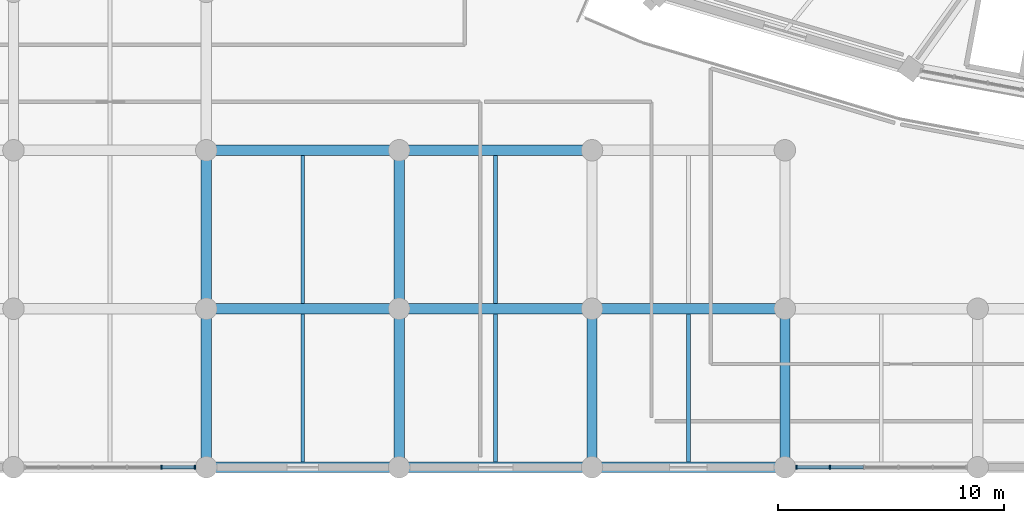
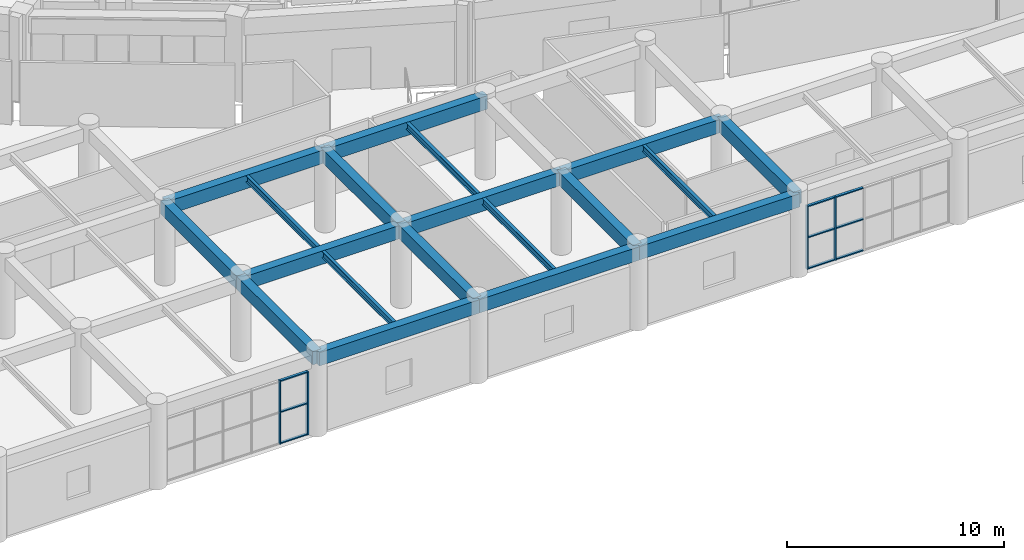
# One storey, part 13 of 152: 19 beams, 13 members, 2 elements without a shape of their own.
"""IFC4 building model written with IfcOpenShell, lengths in metres."""

from ifc_helpers import new_model, si_unit, direction, frame, origin, origin_2d, place, context, subcontext, project, spatial, rectangle, i_section, extrude, material, layer, layer_set, material_profile, profile_set, type_object, element, aggregate, save


model = new_model("IFC4")

# Units and contexts
model_context = context("Model", 3, precision=1e-05, world=origin(), true_north=direction((0.0, 1.0)))
body_context = subcontext(model_context, "Body", "Model", "MODEL_VIEW")
ifc_project = project(units=[si_unit("LENGTHUNIT", "METRE"), si_unit("AREAUNIT", "SQUARE_METRE"), si_unit("VOLUMEUNIT", "CUBIC_METRE"), si_unit("PLANEANGLEUNIT", "RADIAN"), si_unit("MASSUNIT", "GRAM", prefix="KILO")], contexts=[model_context])

# Site, building, storey
site_placement = place(None, origin())
site = spatial("IfcSite", under=ifc_project, at=site_placement, CompositionType="ELEMENT")
building_placement = place(site_placement, origin())
building = spatial("IfcBuilding", under=site, at=building_placement, Name="Mphavela Belvedere Stadium", CompositionType="ELEMENT")
storey_placement = place(building_placement, frame((0.0, 0.0, 5.39990234375)))
storey = spatial("IfcBuildingStorey", under=building, at=storey_placement, Name="L01", CompositionType="ELEMENT", Elevation=5.39990234375)

# Beams
ifc_material_1 = material(Name="Steel S355", Category="steel")
ifc_material_profile_1 = material_profile(ifc_material_1, i_section(OverallWidth=0.169921875, OverallDepth=0.360107421875, WebThickness=0.008056640625, FlangeThickness=0.0126953125, at=origin_2d()), Name="IPE 360")
ifc_profile_set_1 = profile_set([ifc_material_profile_1], Name="Steel S355")
beam_type_1 = type_object("IfcBeamType", Name="BM-JOIST-IPE360", PredefinedType="JOIST", material=ifc_profile_set_1)
for number, where, z_axis, x_axis, name in (
    (1, (38.33349609375, 0.22509765625, 4.360107421875), (0.0, 1.0, 0.0), (-1.0, 0.0, 0.0), "South Axial Triumphal Peristyle Portico secondary joist L01 5-1"),
    (2, (38.33349609375, 7.22509765625, 4.360107421875), (0.0, 1.0, 0.0), (-1.0, 0.0, 0.0), "South Axial Triumphal Peristyle Portico secondary joist L01 5-2"),
    (3, (46.85205078125, 0.22509765625, 4.360107421875), (0.0, 1.0, 0.0), (-1.0, 0.0, 0.0), "South Axial Triumphal Peristyle Portico secondary joist L01 6-1"),
    (4, (46.85205078125, 7.22509765625, 4.360107421875), (0.0, 1.0, 0.0), (-1.0, 0.0, 0.0), "South Axial Triumphal Peristyle Portico secondary joist L01 6-2"),
    (5, (55.37060546875, 0.22509765625, 4.360107421875), (0.0, 1.0, 0.0), (-1.0, 0.0, 0.0), "South Axial Triumphal Peristyle Portico secondary joist L01 7-1"),
):
    element("IfcBeam", number, at=place(storey_placement, frame(where, z_axis=z_axis, x_axis=x_axis)), inside=storey, type_object=beam_type_1, Name=name, PredefinedType="JOIST", context=body_context, shape_type="SweptSolid", body=[
        extrude(i_section(OverallWidth=0.169921875, OverallDepth=0.360107421875, WebThickness=0.008056640625, FlangeThickness=0.0126953125, at=origin_2d()), origin(), (0.0, 0.0, 1.0), 6.5498046875),
    ])
ifc_material_2 = material(Name="Concrete C40/50", Category="concrete")
ifc_material_profile_2 = material_profile(ifc_material_2, rectangle(XDim=0.449951171875, YDim=0.75, at=origin_2d()), Name="RC 450x750")
ifc_profile_set_2 = profile_set([ifc_material_profile_2], Name="Concrete C40/50")
beam_type_2 = type_object("IfcBeamType", Name="BM-RC450x750", PredefinedType="BEAM", material=ifc_profile_set_2)
beam_1_placement = place(storey_placement, frame((34.073974609375, 0.0, 4.1650390625), z_axis=(1.0, 0.0, 0.0), x_axis=(0.0, 1.0, 0.0)))
element("IfcBeam", 6, at=beam_1_placement, inside=storey, type_object=beam_type_2, Name="South Axial Triumphal Peristyle Portico entablature beam X L01 5-1", PredefinedType="BEAM", context=body_context, shape_type="SweptSolid", body=[
    extrude(rectangle(XDim=0.449951171875, YDim=0.75, at=origin_2d()), origin(), (0.0, 0.0, 1.0), 8.51904296875),
])
beam_2_placement = place(storey_placement, frame((34.073974609375, 0.0, 4.1650390625), z_axis=(0.0, 1.0, 0.0), x_axis=(-1.0, 0.0, 0.0)))
element("IfcBeam", 7, at=beam_2_placement, inside=storey, type_object=beam_type_2, Name="South Axial Triumphal Peristyle Portico entablature beam Y L01 5-1", PredefinedType="BEAM", context=body_context, shape_type="SweptSolid", body=[
    extrude(rectangle(XDim=0.449951171875, YDim=0.75, at=origin_2d()), origin(), (0.0, 0.0, 1.0), 7.0),
])
beam_3_placement = place(storey_placement, frame((34.073974609375, 7.0, 4.1650390625), z_axis=(1.0, 0.0, 0.0), x_axis=(0.0, 1.0, 0.0)))
element("IfcBeam", 8, at=beam_3_placement, inside=storey, type_object=beam_type_2, Name="South Axial Triumphal Peristyle Portico entablature beam X L01 5-2", PredefinedType="BEAM", context=body_context, shape_type="SweptSolid", body=[
    extrude(rectangle(XDim=0.449951171875, YDim=0.75, at=origin_2d()), origin(), (0.0, 0.0, 1.0), 8.51904296875),
])
beam_4_placement = place(storey_placement, frame((34.073974609375, 7.0, 4.1650390625), z_axis=(0.0, 1.0, 0.0), x_axis=(-1.0, 0.0, 0.0)))
element("IfcBeam", 9, at=beam_4_placement, inside=storey, type_object=beam_type_2, Name="South Axial Triumphal Peristyle Portico entablature beam Y L01 5-2", PredefinedType="BEAM", context=body_context, shape_type="SweptSolid", body=[
    extrude(rectangle(XDim=0.449951171875, YDim=0.75, at=origin_2d()), origin(), (0.0, 0.0, 1.0), 7.0),
])
beam_5_placement = place(storey_placement, frame((34.073974609375, 14.0, 4.1650390625), z_axis=(1.0, 0.0, 0.0), x_axis=(0.0, 1.0, 0.0)))
element("IfcBeam", 10, at=beam_5_placement, inside=storey, type_object=beam_type_2, Name="South Axial Triumphal Peristyle Portico entablature beam X L01 5-3", PredefinedType="BEAM", context=body_context, shape_type="SweptSolid", body=[
    extrude(rectangle(XDim=0.449951171875, YDim=0.75, at=origin_2d()), origin(), (0.0, 0.0, 1.0), 8.51904296875),
])
beam_6_placement = place(storey_placement, frame((42.593017578125, 0.0, 4.1650390625), z_axis=(1.0, 0.0, 0.0), x_axis=(0.0, 1.0, 0.0)))
element("IfcBeam", 11, at=beam_6_placement, inside=storey, type_object=beam_type_2, Name="South Axial Triumphal Peristyle Portico entablature beam X L01 6-1", PredefinedType="BEAM", context=body_context, shape_type="SweptSolid", body=[
    extrude(rectangle(XDim=0.449951171875, YDim=0.75, at=origin_2d()), origin(), (0.0, 0.0, 1.0), 8.51806640625),
])
beam_7_placement = place(storey_placement, frame((42.593017578125, 0.0, 4.1650390625), z_axis=(0.0, 1.0, 0.0), x_axis=(-1.0, 0.0, 0.0)))
element("IfcBeam", 12, at=beam_7_placement, inside=storey, type_object=beam_type_2, Name="South Axial Triumphal Peristyle Portico entablature beam Y L01 6-1", PredefinedType="BEAM", context=body_context, shape_type="SweptSolid", body=[
    extrude(rectangle(XDim=0.449951171875, YDim=0.75, at=origin_2d()), origin(), (0.0, 0.0, 1.0), 7.0),
])
beam_8_placement = place(storey_placement, frame((42.593017578125, 7.0, 4.1650390625), z_axis=(1.0, 0.0, 0.0), x_axis=(0.0, 1.0, 0.0)))
element("IfcBeam", 13, at=beam_8_placement, inside=storey, type_object=beam_type_2, Name="South Axial Triumphal Peristyle Portico entablature beam X L01 6-2", PredefinedType="BEAM", context=body_context, shape_type="SweptSolid", body=[
    extrude(rectangle(XDim=0.449951171875, YDim=0.75, at=origin_2d()), origin(), (0.0, 0.0, 1.0), 8.51806640625),
])
beam_9_placement = place(storey_placement, frame((42.593017578125, 7.0, 4.1650390625), z_axis=(0.0, 1.0, 0.0), x_axis=(-1.0, 0.0, 0.0)))
element("IfcBeam", 14, at=beam_9_placement, inside=storey, type_object=beam_type_2, Name="South Axial Triumphal Peristyle Portico entablature beam Y L01 6-2", PredefinedType="BEAM", context=body_context, shape_type="SweptSolid", body=[
    extrude(rectangle(XDim=0.449951171875, YDim=0.75, at=origin_2d()), origin(), (0.0, 0.0, 1.0), 7.0),
])
beam_10_placement = place(storey_placement, frame((42.593017578125, 14.0, 4.1650390625), z_axis=(1.0, 0.0, 0.0), x_axis=(0.0, 1.0, 0.0)))
element("IfcBeam", 15, at=beam_10_placement, inside=storey, type_object=beam_type_2, Name="South Axial Triumphal Peristyle Portico entablature beam X L01 6-3", PredefinedType="BEAM", context=body_context, shape_type="SweptSolid", body=[
    extrude(rectangle(XDim=0.449951171875, YDim=0.75, at=origin_2d()), origin(), (0.0, 0.0, 1.0), 8.51806640625),
])
beam_11_placement = place(storey_placement, frame((51.111083984375, 0.0, 4.1650390625), z_axis=(1.0, 0.0, 0.0), x_axis=(0.0, 1.0, 0.0)))
element("IfcBeam", 16, at=beam_11_placement, inside=storey, type_object=beam_type_2, Name="South Axial Triumphal Peristyle Portico entablature beam X L01 7-1", PredefinedType="BEAM", context=body_context, shape_type="SweptSolid", body=[
    extrude(rectangle(XDim=0.449951171875, YDim=0.75, at=origin_2d()), origin(), (0.0, 0.0, 1.0), 8.518798828125),
])
beam_12_placement = place(storey_placement, frame((51.111083984375, 0.0, 4.1650390625), z_axis=(0.0, 1.0, 0.0), x_axis=(-1.0, 0.0, 0.0)))
element("IfcBeam", 17, at=beam_12_placement, inside=storey, type_object=beam_type_2, Name="South Axial Triumphal Peristyle Portico entablature beam Y L01 7-1", PredefinedType="BEAM", context=body_context, shape_type="SweptSolid", body=[
    extrude(rectangle(XDim=0.449951171875, YDim=0.75, at=origin_2d()), origin(), (0.0, 0.0, 1.0), 7.0),
])
beam_13_placement = place(storey_placement, frame((51.111083984375, 7.0, 4.1650390625), z_axis=(1.0, 0.0, 0.0), x_axis=(0.0, 1.0, 0.0)))
element("IfcBeam", 18, at=beam_13_placement, inside=storey, type_object=beam_type_2, Name="South Axial Triumphal Peristyle Portico entablature beam X L01 7-2", PredefinedType="BEAM", context=body_context, shape_type="SweptSolid", body=[
    extrude(rectangle(XDim=0.449951171875, YDim=0.75, at=origin_2d()), origin(), (0.0, 0.0, 1.0), 8.518798828125),
])
beam_14_placement = place(storey_placement, frame((59.6298828125, 0.0, 4.1650390625), z_axis=(0.0, 1.0, 0.0), x_axis=(-1.0, 0.0, 0.0)))
element("IfcBeam", 19, at=beam_14_placement, inside=storey, type_object=beam_type_2, Name="South Axial Triumphal Peristyle Portico entablature beam Y L01 8-1", PredefinedType="BEAM", context=body_context, shape_type="SweptSolid", body=[
    extrude(rectangle(XDim=0.449951171875, YDim=0.75, at=origin_2d()), origin(), (0.0, 0.0, 1.0), 7.0),
])

# Curtain wall, members
ifc_material_3 = material(Name="Anodised bronze unitised curtain wall framing")
ifc_layer_1 = layer(ifc_material_3, 0.18994140625)
ifc_layer_set_1 = layer_set([ifc_layer_1], Name="Anodised bronze unitised curtain wall framing")
curtain_wall_type_1 = type_object("IfcCurtainWallType", Name="CW-UNIT-03", PredefinedType="USERDEFINED", material=ifc_layer_set_1)
curtain_wall_1_placement = place(storey_placement, origin())
curtain_wall_1 = element("IfcCurtainWall", 20, at=curtain_wall_1_placement, inside=storey, type_object=curtain_wall_type_1, Name="South Axial Triumphal Peristyle Portico gallery curtain wall L01-04", ObjectType="UNITISED CURTAIN WALL", PredefinedType="USERDEFINED")
ifc_material_4 = material(Name="Anodised bronze extruded aluminium", Category="aluminium")
ifc_material_profile_3 = material_profile(ifc_material_4, rectangle(XDim=0.179931640625, YDim=0.06494140625, at=origin_2d()), Name="CW-MUL 180x65")
ifc_profile_set_3 = profile_set([ifc_material_profile_3], Name="Anodised bronze extruded aluminium")
member_type_1 = type_object("IfcMemberType", Name="CWM-180x65", PredefinedType="MULLION", material=ifc_profile_set_3)
member_1_placement = place(storey_placement, frame((33.568603515625, 0.0, 0.0), z_axis=(0.0, 0.0, 1.0), x_axis=(0.0, -1.0, 0.0)))
member_1 = element("IfcMember", 21, at=member_1_placement, type_object=member_type_1, Name="CW-03 mullion 1", PredefinedType="MULLION", context=body_context, shape_type="SweptSolid", body=[
    extrude(rectangle(XDim=0.179931640625, YDim=0.06494140625, at=origin_2d()), origin(), (0.0, 0.0, 1.0), 3.56005859375),
])
member_2_placement = place(storey_placement, frame((32.086669921875, 0.0, 0.0), z_axis=(0.0, 0.0, 1.0), x_axis=(0.0, -1.0, 0.0)))
member_2 = element("IfcMember", 22, at=member_2_placement, type_object=member_type_1, Name="CW-03 mullion 2", PredefinedType="MULLION", context=body_context, shape_type="SweptSolid", body=[
    extrude(rectangle(XDim=0.179931640625, YDim=0.06494140625, at=origin_2d()), origin(), (0.0, 0.0, 1.0), 3.56005859375),
])

ifc_material_5 = material(Name="Anodised bronze unitised curtain wall framing")
ifc_layer_2 = layer(ifc_material_5, 0.195068359375)
ifc_layer_set_2 = layer_set([ifc_layer_2], Name="Anodised bronze unitised curtain wall framing")
curtain_wall_type_2 = type_object("IfcCurtainWallType", Name="CW-UNIT-04", PredefinedType="USERDEFINED", material=ifc_layer_set_2)
curtain_wall_2_placement = place(storey_placement, origin())
curtain_wall_2 = element("IfcCurtainWall", 23, at=curtain_wall_2_placement, inside=storey, type_object=curtain_wall_type_2, Name="South Axial Triumphal Peristyle Portico gallery curtain wall L01-08", ObjectType="UNITISED CURTAIN WALL", PredefinedType="USERDEFINED")
member_3_placement = place(storey_placement, frame((61.617431640625, 0.0, 0.0), z_axis=(0.0, 0.0, 1.0), x_axis=(0.0, -1.0, 0.0)))
member_3 = element("IfcMember", 24, at=member_3_placement, type_object=member_type_1, Name="CW-04 mullion 5", PredefinedType="MULLION", context=body_context, shape_type="SweptSolid", body=[
    extrude(rectangle(XDim=0.179931640625, YDim=0.06494140625, at=origin_2d()), origin(), (0.0, 0.0, 1.0), 3.56005859375),
])
member_4_placement = place(storey_placement, frame((60.135498046875, 0.0, 0.0), z_axis=(0.0, 0.0, 1.0), x_axis=(0.0, -1.0, 0.0)))
member_4 = element("IfcMember", 25, at=member_4_placement, type_object=member_type_1, Name="CW-04 mullion 6", PredefinedType="MULLION", context=body_context, shape_type="SweptSolid", body=[
    extrude(rectangle(XDim=0.179931640625, YDim=0.06494140625, at=origin_2d()), origin(), (0.0, 0.0, 1.0), 3.56005859375),
])

# Member
ifc_material_6 = material(Name="Anodised bronze extruded aluminium", Category="aluminium")
ifc_material_profile_4 = material_profile(ifc_material_6, rectangle(XDim=0.139892578125, YDim=0.06005859375, at=origin_2d()), Name="CW-TRN 140x60")
ifc_profile_set_4 = profile_set([ifc_material_profile_4], Name="Anodised bronze extruded aluminium")
member_type_2 = type_object("IfcMemberType", Name="CWT-140x60", PredefinedType="USERDEFINED", material=ifc_profile_set_4)
member_5_placement = place(storey_placement, frame((33.535888671875, 0.0, 0.030029296875), z_axis=(-1.0, 0.0, 0.0), x_axis=(0.0, -1.0, 0.0)))
member_5 = element("IfcMember", 26, at=member_5_placement, type_object=member_type_2, Name="CW-03 transom 1.1", ObjectType="TRANSOM", PredefinedType="USERDEFINED", context=body_context, shape_type="SweptSolid", body=[
    extrude(rectangle(XDim=0.139892578125, YDim=0.06005859375, at=origin_2d()), origin(), (0.0, 0.0, 1.0), 1.416748046875),
])

member_6_placement = place(storey_placement, frame((33.535888671875, 0.0, 1.780029296875), z_axis=(-1.0, 0.0, 0.0), x_axis=(0.0, -1.0, 0.0)))
member_6 = element("IfcMember", 27, at=member_6_placement, type_object=member_type_2, Name="CW-03 transom 1.2", ObjectType="TRANSOM", PredefinedType="USERDEFINED", context=body_context, shape_type="SweptSolid", body=[
    extrude(rectangle(XDim=0.139892578125, YDim=0.06005859375, at=origin_2d()), origin(), (0.0, 0.0, 1.0), 1.416748046875),
])

member_7_placement = place(storey_placement, frame((33.535888671875, 0.0, 3.530029296875), z_axis=(-1.0, 0.0, 0.0), x_axis=(0.0, -1.0, 0.0)))
member_7 = element("IfcMember", 28, at=member_7_placement, type_object=member_type_2, Name="CW-03 transom 1.3", ObjectType="TRANSOM", PredefinedType="USERDEFINED", context=body_context, shape_type="SweptSolid", body=[
    extrude(rectangle(XDim=0.139892578125, YDim=0.06005859375, at=origin_2d()), origin(), (0.0, 0.0, 1.0), 1.416748046875),
])

aggregate(curtain_wall_1, [member_1, member_2, member_5, member_6, member_7])

member_8_placement = place(storey_placement, frame((63.099365234375, 0.0, 0.030029296875), z_axis=(-1.0, 0.0, 0.0), x_axis=(0.0, -1.0, 0.0)))
member_8 = element("IfcMember", 29, at=member_8_placement, type_object=member_type_2, Name="CW-04 transom 4.1", ObjectType="TRANSOM", PredefinedType="USERDEFINED", context=body_context, shape_type="SweptSolid", body=[
    extrude(rectangle(XDim=0.139892578125, YDim=0.06005859375, at=origin_2d()), origin(), (0.0, 0.0, 1.0), 1.449462890625),
])

member_9_placement = place(storey_placement, frame((63.099365234375, 0.0, 1.780029296875), z_axis=(-1.0, 0.0, 0.0), x_axis=(0.0, -1.0, 0.0)))
member_9 = element("IfcMember", 30, at=member_9_placement, type_object=member_type_2, Name="CW-04 transom 4.2", ObjectType="TRANSOM", PredefinedType="USERDEFINED", context=body_context, shape_type="SweptSolid", body=[
    extrude(rectangle(XDim=0.139892578125, YDim=0.06005859375, at=origin_2d()), origin(), (0.0, 0.0, 1.0), 1.449462890625),
])

member_10_placement = place(storey_placement, frame((63.099365234375, 0.0, 3.530029296875), z_axis=(-1.0, 0.0, 0.0), x_axis=(0.0, -1.0, 0.0)))
member_10 = element("IfcMember", 31, at=member_10_placement, type_object=member_type_2, Name="CW-04 transom 4.3", ObjectType="TRANSOM", PredefinedType="USERDEFINED", context=body_context, shape_type="SweptSolid", body=[
    extrude(rectangle(XDim=0.139892578125, YDim=0.06005859375, at=origin_2d()), origin(), (0.0, 0.0, 1.0), 1.449462890625),
])

member_11_placement = place(storey_placement, frame((61.5849609375, 0.0, 0.030029296875), z_axis=(-1.0, 0.0, 0.0), x_axis=(0.0, -1.0, 0.0)))
member_11 = element("IfcMember", 32, at=member_11_placement, type_object=member_type_2, Name="CW-04 transom 5.1", ObjectType="TRANSOM", PredefinedType="USERDEFINED", context=body_context, shape_type="SweptSolid", body=[
    extrude(rectangle(XDim=0.139892578125, YDim=0.06005859375, at=origin_2d()), origin(), (0.0, 0.0, 1.0), 1.4169921875),
])

member_12_placement = place(storey_placement, frame((61.5849609375, 0.0, 1.780029296875), z_axis=(-1.0, 0.0, 0.0), x_axis=(0.0, -1.0, 0.0)))
member_12 = element("IfcMember", 33, at=member_12_placement, type_object=member_type_2, Name="CW-04 transom 5.2", ObjectType="TRANSOM", PredefinedType="USERDEFINED", context=body_context, shape_type="SweptSolid", body=[
    extrude(rectangle(XDim=0.139892578125, YDim=0.06005859375, at=origin_2d()), origin(), (0.0, 0.0, 1.0), 1.4169921875),
])

member_13_placement = place(storey_placement, frame((61.5849609375, 0.0, 3.530029296875), z_axis=(-1.0, 0.0, 0.0), x_axis=(0.0, -1.0, 0.0)))
member_13 = element("IfcMember", 34, at=member_13_placement, type_object=member_type_2, Name="CW-04 transom 5.3", ObjectType="TRANSOM", PredefinedType="USERDEFINED", context=body_context, shape_type="SweptSolid", body=[
    extrude(rectangle(XDim=0.139892578125, YDim=0.06005859375, at=origin_2d()), origin(), (0.0, 0.0, 1.0), 1.4169921875),
])

aggregate(curtain_wall_2, [member_3, member_4, member_8, member_9, member_10, member_11, member_12, member_13])

save(model, "model.ifc")
